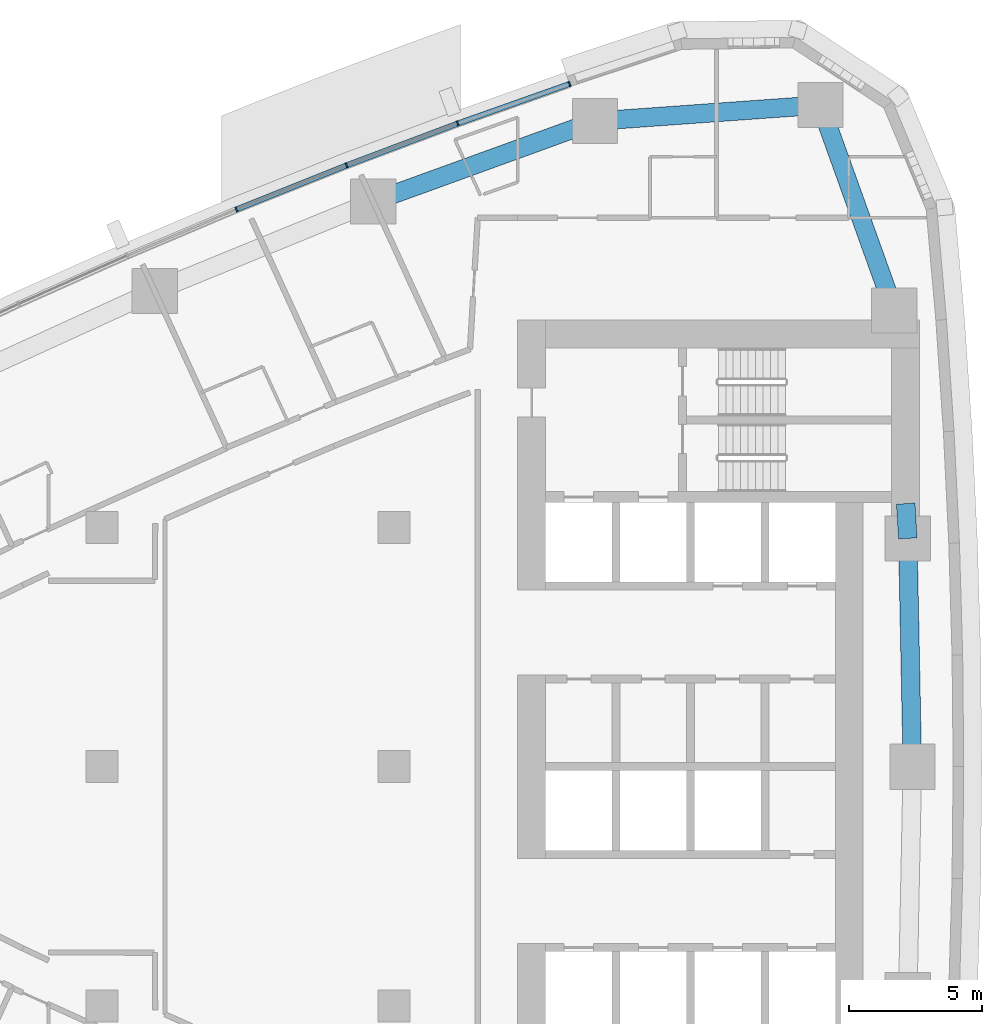
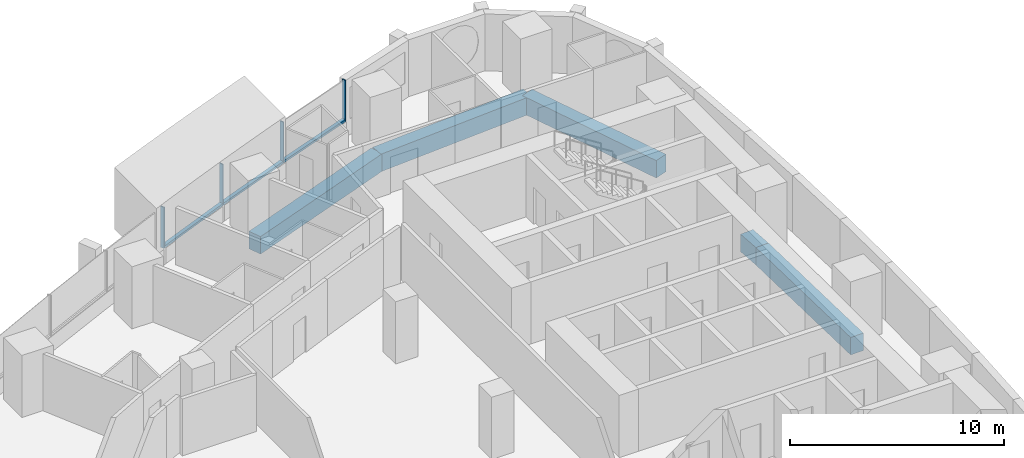
# One storey, part 6 of 17: 7 members, 5 beams, 2 elements without a shape of their own.
"""IFC4 building model written with IfcOpenShell, lengths in metres."""

import ifcopenshell
import ifcopenshell.guid

model = None  # the IFC model being written
_history = None  # IfcOwnerHistory: only IFC2X3 demands one
_inside = {}  # id of a spatial element -> (the spatial element, [elements in it])
_under = {}  # id of a project, library or spatial element -> (it, [spatial elements below it])
_declared = {}  # id of a project -> (the project, [libraries it declares])
_typed = {}  # id of a type object -> (the type object, [elements of that type])
_made_of = {}  # id of a material, layer set ... -> (it, [elements and type objects made of it])


def new_model(schema):
    """Start an empty IFC model of exactly this schema.

    Asked for "IFC4X3", IfcOpenShell would pick the latest addendum, in which some entities
    have other attributes; the version numbers below select the first issue.
    IFC2X3 requires an IfcOwnerHistory on every rooted entity: one is made here for all.
    """
    global model, _history
    if schema == "IFC4X3":
        model = ifcopenshell.file(schema_version=(4, 3, 0, 0))
    else:
        model = ifcopenshell.file(schema=schema)
    _inside.clear()
    _under.clear()
    _declared.clear()
    _typed.clear()
    _made_of.clear()
    _history = None
    if model.schema == "IFC2X3":
        org = make("IfcOrganization", Name="unknown")
        user = make(
            "IfcPersonAndOrganization",
            ThePerson=make("IfcPerson", FamilyName="unknown"),
            TheOrganization=org,
        )
        app = make(
            "IfcApplication",
            ApplicationDeveloper=org,
            Version="unknown",
            ApplicationFullName="unknown",
            ApplicationIdentifier="unknown",
        )
        _history = make(
            "IfcOwnerHistory",
            OwningUser=user,
            OwningApplication=app,
            ChangeAction="ADDED",
            CreationDate=0,
        )
    return model


def make(cls, **values):
    """One entity of the class cls with the attributes given. An attribute that is None is left unset."""
    return model.create_entity(
        cls, **{name: value for name, value in values.items() if value is not None}
    )


def rooted(cls, **values):
    """An entity with a GlobalId (a new one), such as an element, a storey or a relation."""
    return make(cls, GlobalId=ifcopenshell.guid.new(), OwnerHistory=_history, **values)


def si_unit(unit_type, name, prefix=None):
    """IfcSIUnit, for example si_unit("LENGTHUNIT", "METRE", prefix="MILLI")."""
    return make("IfcSIUnit", UnitType=unit_type, Prefix=prefix, Name=name)


def assignment(units):
    """IfcUnitAssignment: the units of a project."""
    return None if units is None else make("IfcUnitAssignment", Units=units)


def point(xyz):
    """IfcCartesianPoint."""
    return None if xyz is None else make("IfcCartesianPoint", Coordinates=xyz)


def direction(xyz):
    """IfcDirection."""
    return None if xyz is None else make("IfcDirection", DirectionRatios=xyz)


def frame(location, z_axis=None, x_axis=None):
    """IfcAxis2Placement3D, a coordinate frame: its origin and axes. An axis left out is left unset."""
    return make(
        "IfcAxis2Placement3D",
        Location=point(location),
        Axis=direction(z_axis),
        RefDirection=direction(x_axis),
    )


def frame_2d(location, x_axis=None):
    """IfcAxis2Placement2D, a coordinate frame in the plane: its origin and x axis."""
    return make(
        "IfcAxis2Placement2D", Location=point(location), RefDirection=direction(x_axis)
    )


def origin():
    """The frame at (0, 0, 0) with its axes left unset."""
    return frame((0.0, 0.0, 0.0))


def origin_2d():
    """The frame at (0, 0) in the plane with its x axis left unset."""
    return frame_2d((0.0, 0.0))


def place(relative_to, where):
    """IfcLocalPlacement: puts the frame where relative to a parent placement (None: the world)."""
    return make(
        "IfcLocalPlacement", PlacementRelTo=relative_to, RelativePlacement=where
    )


def context(
    kind, dimensions, precision=None, world=None, true_north=None, identifier=None
):
    """IfcGeometricRepresentationContext, for example the 3D "Model" context."""
    return make(
        "IfcGeometricRepresentationContext",
        ContextIdentifier=identifier,
        ContextType=kind,
        CoordinateSpaceDimension=dimensions,
        Precision=precision,
        WorldCoordinateSystem=world,
        TrueNorth=true_north,
    )


def subcontext(parent, identifier, kind, view, scale=None):
    """IfcGeometricRepresentationSubContext, for example "Body" below "Model"."""
    return make(
        "IfcGeometricRepresentationSubContext",
        ContextIdentifier=identifier,
        ContextType=kind,
        ParentContext=parent,
        TargetScale=scale,
        TargetView=view,
    )


def project(units=None, contexts=None):
    """IfcProject with its units and contexts."""
    return rooted(
        "IfcProject",
        Name="project",
        RepresentationContexts=contexts,
        UnitsInContext=assignment(units),
    )


def spatial(cls, under=None, at=None, **own):
    """A site, building, storey or space (cls), placed at a placement, below another one or the project."""
    s = rooted(cls, ObjectPlacement=at, **own)
    if under is not None:
        _under.setdefault(under.id(), (under, []))[1].append(s)
    return s


def profile(cls, at=None, kind="AREA", **sizes):
    """A parametric profile (cls). Its sizes go by their IFC names, for example OverallWidth=200.0."""
    return make(cls, ProfileType=kind, Position=at, **sizes)


def rectangle(**sizes):
    """IfcRectangleProfileDef."""
    return profile("IfcRectangleProfileDef", **sizes)


def extrude(swept, where, along, depth):
    """IfcExtrudedAreaSolid: the profile swept, set in the frame where, extruded along a direction by depth."""
    return make(
        "IfcExtrudedAreaSolid",
        SweptArea=swept,
        Position=where,
        ExtrudedDirection=direction(along),
        Depth=depth,
    )


def shape(context_of_items, identifier, shape_type, items):
    """IfcShapeRepresentation: the items that make up one representation, for example the "Body"."""
    return make(
        "IfcShapeRepresentation",
        ContextOfItems=context_of_items,
        RepresentationIdentifier=identifier,
        RepresentationType=shape_type,
        Items=items,
    )


def material(Name=None, Category=None):
    """IfcMaterial."""
    return make("IfcMaterial", Name=Name, Category=Category)


def layer(
    of_material, thickness, ventilated=None, Name=None, Category=None, Priority=None
):
    """IfcMaterialLayer: one layer of a wall or slab, of a material (None: an air gap)."""
    return make(
        "IfcMaterialLayer",
        Material=of_material,
        LayerThickness=thickness,
        IsVentilated=ventilated,
        Name=Name,
        Category=Category,
        Priority=Priority,
    )


def layer_set(layers, Name=None):
    """IfcMaterialLayerSet."""
    return make("IfcMaterialLayerSet", MaterialLayers=layers, LayerSetName=Name)


def material_profile(
    of_material, cross_section, Name=None, Category=None, Priority=None
):
    """IfcMaterialProfile: a cross section and its material."""
    return make(
        "IfcMaterialProfile",
        Name=Name,
        Material=of_material,
        Profile=cross_section,
        Priority=Priority,
        Category=Category,
    )


def profile_set(profiles, Name=None, composite=None):
    """IfcMaterialProfileSet."""
    return make(
        "IfcMaterialProfileSet",
        Name=Name,
        MaterialProfiles=profiles,
        CompositeProfile=composite,
    )


def made_of(thing, what):
    """Note that an element or type object is made of a material, layer set ...; save() writes the relation."""
    if what is not None:
        _made_of.setdefault(what.id(), (what, []))[1].append(thing)
    return thing


def type_object(cls, material=None, **own):
    """A type object (cls), such as IfcWallType, which elements share."""
    return made_of(rooted(cls, **own), material)


def element(
    cls,
    number,
    at=None,
    inside=None,
    cuts=None,
    type_object=None,
    material=None,
    context=None,
    identifier="Body",
    shape_type=None,
    held_by="IfcProductDefinitionShape",
    body=None,
    shapes=None,
    **own,
):
    """One element of the class cls, such as IfcWall. Its Tag is "e" and its number.

    at: its placement. inside: the storey or other place that contains it. cuts: it is an
    opening in that element (IfcRelVoidsElement). A single representation is given by context,
    identifier, shape_type and body (its items); several are given by shapes. held_by: the class
    of the entity that holds the representations. save() writes the other relations.
    """
    e = rooted(cls, Tag="e%d" % number, ObjectPlacement=at, **own)
    if body is not None:
        shapes = [shape(context, identifier, shape_type, body)]
    if shapes is not None:
        e.Representation = make(held_by, Representations=shapes)
    if inside is not None:
        _inside.setdefault(inside.id(), (inside, []))[1].append(e)
    if cuts is not None:
        rooted(
            "IfcRelVoidsElement", RelatingBuildingElement=cuts, RelatedOpeningElement=e
        )
    if type_object is not None:
        _typed.setdefault(type_object.id(), (type_object, []))[1].append(e)
    return made_of(e, material)


def aggregate(whole, parts):
    """IfcRelAggregates: a whole, such as a stair, and the parts it consists of."""
    return rooted("IfcRelAggregates", RelatingObject=whole, RelatedObjects=parts)


def save(model, path):
    """Write the relations noted so far, then the file.

    IfcRelAggregates (storeys below a building ...), IfcRelContainedInSpatialStructure (elements
    in a storey), IfcRelDefinesByType, IfcRelAssociatesMaterial and IfcRelDeclares: one each for
    every whole, place, type object, material and project.
    """
    for whole, parts in _under.values():
        aggregate(whole, parts)
    for where, things in _inside.values():
        rooted(
            "IfcRelContainedInSpatialStructure",
            RelatedElements=things,
            RelatingStructure=where,
        )
    for kind, things in _typed.values():
        rooted("IfcRelDefinesByType", RelatedObjects=things, RelatingType=kind)
    for what, things in _made_of.values():
        rooted("IfcRelAssociatesMaterial", RelatedObjects=things, RelatingMaterial=what)
    for by, libraries in _declared.values():
        rooted("IfcRelDeclares", RelatingContext=by, RelatedDefinitions=libraries)
    model.write(path)


model = new_model("IFC4")

# Units and contexts
model_context = context("Model", 3, precision=1e-05, world=origin(), true_north=direction((0.0, 1.0)))
body_context = subcontext(model_context, "Body", "Model", "MODEL_VIEW")
ifc_project = project(units=[si_unit("LENGTHUNIT", "METRE"), si_unit("AREAUNIT", "SQUARE_METRE"), si_unit("VOLUMEUNIT", "CUBIC_METRE"), si_unit("PLANEANGLEUNIT", "RADIAN"), si_unit("MASSUNIT", "GRAM", prefix="KILO")], contexts=[model_context])

# Site, building, storey
site_placement = place(None, origin())
site = spatial("IfcSite", under=ifc_project, at=site_placement, CompositionType="ELEMENT")
building_placement = place(site_placement, origin())
building = spatial("IfcBuilding", under=site, at=building_placement, Name="Ostrand Prow Hotel Tower", CompositionType="ELEMENT")
storey_placement = place(building_placement, frame((0.0, 0.0, 95.550048828125)))
storey = spatial("IfcBuildingStorey", under=building, at=storey_placement, Name="L22", CompositionType="ELEMENT", Elevation=95.550048828125)

# Beams
ifc_material_1 = material(Name="Concrete C80/95", Category="concrete")
ifc_material_profile_1 = material_profile(ifc_material_1, rectangle(XDim=0.699951171875, YDim=1.0, at=origin_2d()), Name="RC 700x1000")
ifc_profile_set_1 = profile_set([ifc_material_profile_1], Name="Concrete C80/95")
beam_type = type_object("IfcBeamType", Name="Edge beam 700x1000 C80/95", PredefinedType="SPANDREL", material=ifc_profile_set_1)
beam_1_placement = place(storey_placement, frame((64.5, 0.0, -0.800048828125), z_axis=(-0.019922705812, 0.9998015232, 0.0), x_axis=(-0.9998015232, -0.019922705812, 0.0)))
element("IfcBeam", 1, at=beam_1_placement, inside=storey, type_object=beam_type, Name="Edge beam B3-B4", PredefinedType="SPANDREL", context=body_context, shape_type="SweptSolid", body=[
    extrude(rectangle(XDim=0.699951171875, YDim=1.0, at=origin_2d()), origin(), (0.0, 0.0, 1.0), 8.59033203125),
])
beam_2_placement = place(storey_placement, frame((64.328857421875, 8.588623046875, -0.800048828125), z_axis=(-0.059658953766, 0.998218818314, 0.0), x_axis=(-0.998218818314, -0.059658953766, 0.0)))
element("IfcBeam", 2, at=beam_2_placement, inside=storey, type_object=beam_type, Name="Edge beam B4-B5", PredefinedType="SPANDREL", context=body_context, shape_type="SweptSolid", body=[
    extrude(rectangle(XDim=0.699951171875, YDim=1.0, at=origin_2d()), origin(), (0.0, 0.0, 1.0), 1.313720703125),
])
beam_3_placement = place(storey_placement, frame((63.815673828125, 17.16357421875, -0.800048828125), z_axis=(-0.337815484063, 0.941212355809, 0.0), x_axis=(-0.941212355809, -0.337815484063, 0.0)))
element("IfcBeam", 3, at=beam_3_placement, inside=storey, type_object=beam_type, Name="Edge beam B5-NE", PredefinedType="SPANDREL", context=body_context, shape_type="SweptSolid", body=[
    extrude(rectangle(XDim=0.699951171875, YDim=1.0, at=origin_2d()), origin(), (0.0, 0.0, 1.0), 8.21630859375),
])
beam_4_placement = place(storey_placement, frame((61.0400390625, 24.89697265625, -0.800048828125), z_axis=(-0.99747195063, -0.071061295414, 0.0), x_axis=(0.071061295414, -0.99747195063, 0.0)))
element("IfcBeam", 4, at=beam_4_placement, inside=storey, type_object=beam_type, Name="Edge beam NE-N1", PredefinedType="SPANDREL", context=body_context, shape_type="SweptSolid", body=[
    extrude(rectangle(XDim=0.699951171875, YDim=1.0, at=origin_2d()), origin(), (0.0, 0.0, 1.0), 8.499755859375),
])
beam_5_placement = place(storey_placement, frame((52.561767578125, 24.29296875, -0.800048828125), z_axis=(-0.940062739321, -0.341001533927, 0.0), x_axis=(0.341001533927, -0.940062739321, 0.0)))
element("IfcBeam", 5, at=beam_5_placement, inside=storey, type_object=beam_type, Name="Edge beam N1-N2", PredefinedType="SPANDREL", context=body_context, shape_type="SweptSolid", body=[
    extrude(rectangle(XDim=0.699951171875, YDim=1.0, at=origin_2d()), origin(), (0.0, 0.0, 1.0), 8.883544921875),
])

# Curtain wall, members
ifc_material_2 = material(Name="Insulated glass in bronze anodised frame", Category="glass")
ifc_layer = layer(ifc_material_2, 0.199951171875)
ifc_layer_set = layer_set([ifc_layer], Name="Insulated glass in bronze anodised frame")
curtain_wall_type = type_object("IfcCurtainWallType", Name="Strip curtain wall, fritted glass over bronze spandrel", PredefinedType="NOTDEFINED", material=ifc_layer_set)
curtain_wall_1_placement = place(storey_placement, origin())
curtain_wall_1 = element("IfcCurtainWall", 6, at=curtain_wall_1_placement, inside=storey, type_object=curtain_wall_type, Name="CW1 run CWN1", PredefinedType="NOTDEFINED")
ifc_material_3 = material(Name="Bronze anodised aluminium", Category="aluminium")
ifc_material_profile_2 = material_profile(ifc_material_3, rectangle(XDim=0.199951171875, YDim=0.06005859375, at=origin_2d()), Name="Mullion 60x200 bronze anodised aluminium")
ifc_profile_set_2 = profile_set([ifc_material_profile_2], Name="Bronze anodised aluminium")
member_type_1 = type_object("IfcMemberType", Name="Mullion 60x200 bronze anodised aluminium", PredefinedType="MULLION", material=ifc_profile_set_2)
member_1_placement = place(storey_placement, frame((51.601318359375, 25.692138671875, 0.89990234375), z_axis=(0.0, 0.0, 1.0), x_axis=(0.333495894542, -0.942751551748, 0.0)))
member_1 = element("IfcMember", 7, at=member_1_placement, type_object=member_type_1, Name="CW1 mullion 1", PredefinedType="MULLION", context=body_context, shape_type="SweptSolid", body=[
    extrude(rectangle(XDim=0.199951171875, YDim=0.06005859375, at=origin_2d()), origin(), (0.0, 0.0, 1.0), 2.35009765625),
])
member_2_placement = place(storey_placement, frame((47.390869140625, 24.202880859375, 0.89990234375), z_axis=(0.0, 0.0, 1.0), x_axis=(0.35230885193, -0.935883792387, 0.0)))
member_2 = element("IfcMember", 8, at=member_2_placement, type_object=member_type_1, Name="CW1 mullion 2", PredefinedType="MULLION", context=body_context, shape_type="SweptSolid", body=[
    extrude(rectangle(XDim=0.199951171875, YDim=0.06005859375, at=origin_2d()), origin(), (0.0, 0.0, 1.0), 2.35009765625),
])
member_3_placement = place(storey_placement, frame((43.211181640625, 22.62939453125, 0.89990234375), z_axis=(0.0, 0.0, 1.0), x_axis=(0.35230885193, -0.935883792387, 0.0)))
member_3 = element("IfcMember", 9, at=member_3_placement, type_object=member_type_1, Name="CW1 mullion 3", PredefinedType="MULLION", context=body_context, shape_type="SweptSolid", body=[
    extrude(rectangle(XDim=0.199951171875, YDim=0.06005859375, at=origin_2d()), origin(), (0.0, 0.0, 1.0), 2.35009765625),
])

# Curtain wall, member
curtain_wall_2_placement = place(storey_placement, origin())
curtain_wall_2 = element("IfcCurtainWall", 10, at=curtain_wall_2_placement, inside=storey, type_object=curtain_wall_type, Name="CW1 run CWN2", PredefinedType="NOTDEFINED")
member_4_placement = place(storey_placement, frame((39.06396484375, 20.97265625, 0.89990234375), z_axis=(0.0, 0.0, 1.0), x_axis=(0.389506566255, -0.921023688536, 0.0)))
member_4 = element("IfcMember", 11, at=member_4_placement, type_object=member_type_1, Name="CW1 mullion 2", PredefinedType="MULLION", context=body_context, shape_type="SweptSolid", body=[
    extrude(rectangle(XDim=0.199951171875, YDim=0.06005859375, at=origin_2d()), origin(), (0.0, 0.0, 1.0), 2.35009765625),
])

# Member
ifc_material_4 = material(Name="Bronze anodised aluminium", Category="aluminium")
ifc_material_profile_3 = material_profile(ifc_material_4, rectangle(XDim=0.199951171875, YDim=0.1201171875, at=origin_2d()), Name="Transom 120x200 bronze anodised aluminium")
ifc_profile_set_3 = profile_set([ifc_material_profile_3], Name="Bronze anodised aluminium")
member_type_2 = type_object("IfcMemberType", Name="Transom 120x200 bronze anodised aluminium", PredefinedType="USERDEFINED", material=ifc_profile_set_3)
member_5_placement = place(storey_placement, frame((51.572998046875, 25.68212890625, 0.9599609375), z_axis=(-0.942763014139, -0.333463490013, 0.0), x_axis=(0.333463490013, -0.942763014139, 0.0)))
member_5 = element("IfcMember", 12, at=member_5_placement, type_object=member_type_2, Name="CW1 transom 1.1", ObjectType="TRANSOM", PredefinedType="USERDEFINED", context=body_context, shape_type="SweptSolid", body=[
    extrude(rectangle(XDim=0.199951171875, YDim=0.1201171875, at=origin_2d()), origin(), (0.0, 0.0, 1.0), 4.406005859375),
])

member_6_placement = place(storey_placement, frame((47.36279296875, 24.1923828125, 0.9599609375), z_axis=(-0.935868398429, -0.352349742191, 0.0), x_axis=(0.352349742191, -0.935868398429, 0.0)))
member_6 = element("IfcMember", 13, at=member_6_placement, type_object=member_type_2, Name="CW1 transom 2.1", ObjectType="TRANSOM", PredefinedType="USERDEFINED", context=body_context, shape_type="SweptSolid", body=[
    extrude(rectangle(XDim=0.199951171875, YDim=0.1201171875, at=origin_2d()), origin(), (0.0, 0.0, 1.0), 4.406005859375),
])

aggregate(curtain_wall_1, [member_1, member_2, member_3, member_5, member_6])

member_7_placement = place(storey_placement, frame((43.183349609375, 22.618408203125, 0.9599609375), z_axis=(-0.928621833209, -0.371027614724, 0.0), x_axis=(0.371027614724, -0.928621833209, 0.0)))
member_7 = element("IfcMember", 14, at=member_7_placement, type_object=member_type_2, Name="CW1 transom 1.1", ObjectType="TRANSOM", PredefinedType="USERDEFINED", context=body_context, shape_type="SweptSolid", body=[
    extrude(rectangle(XDim=0.199951171875, YDim=0.1201171875, at=origin_2d()), origin(), (0.0, 0.0, 1.0), 4.406005859375),
])

aggregate(curtain_wall_2, [member_4, member_7])

save(model, "model.ifc")
